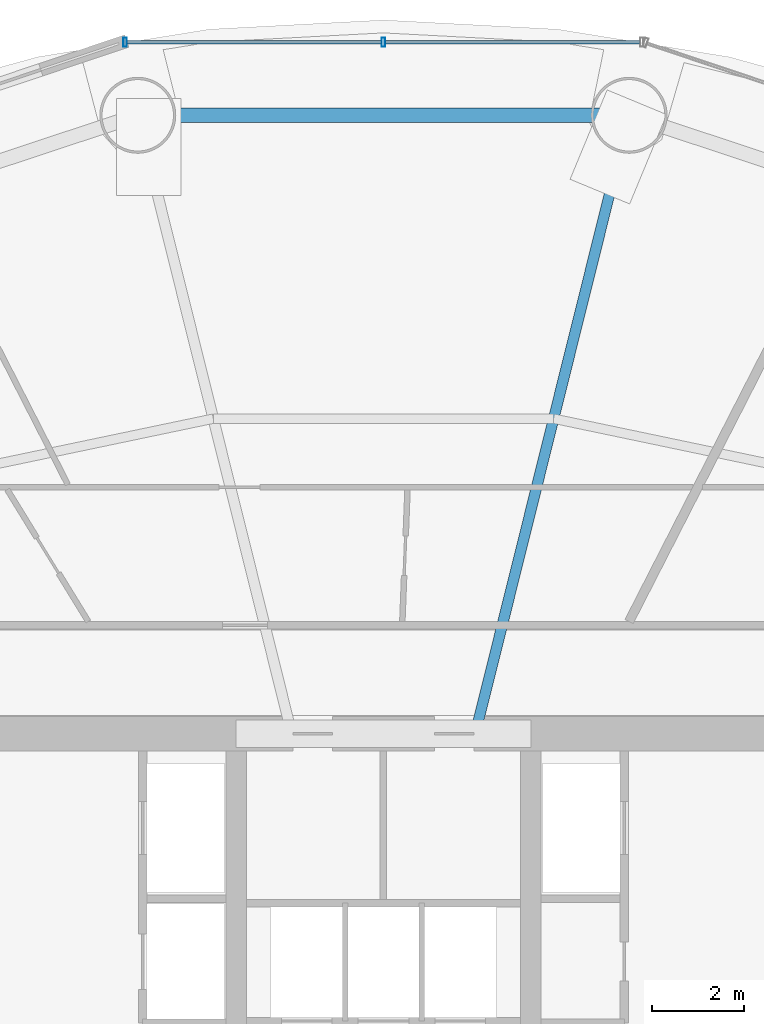
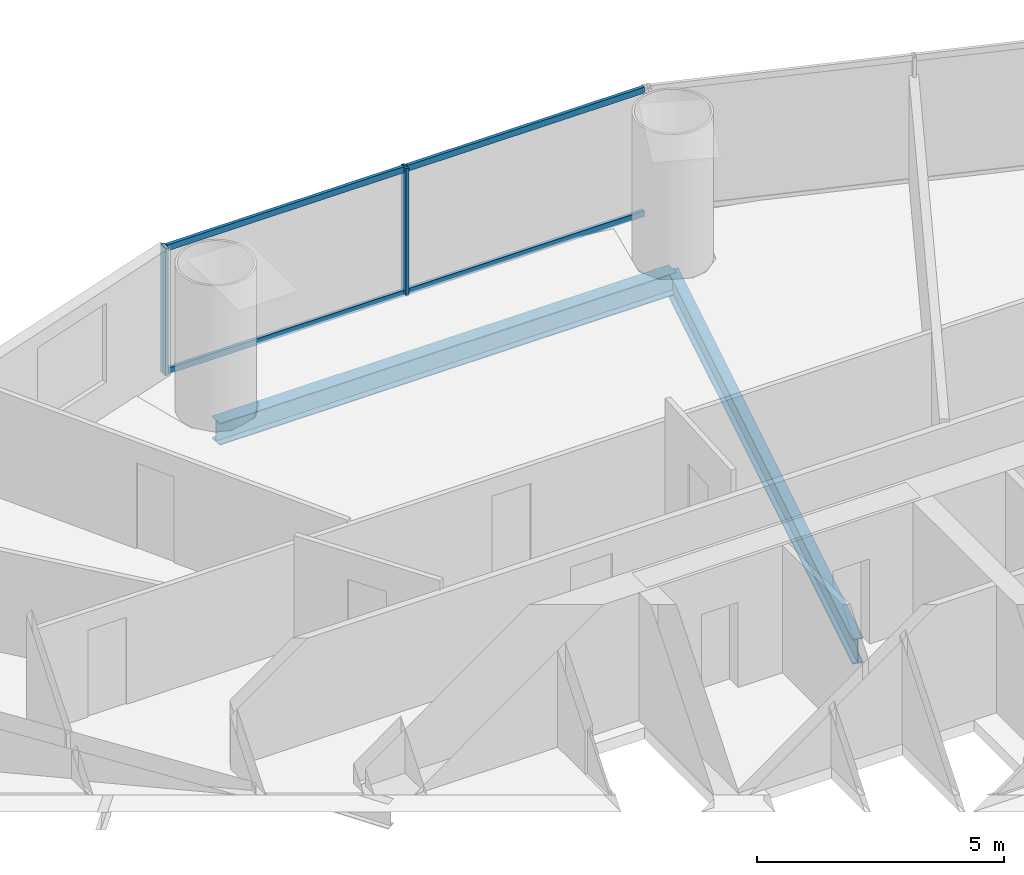
# One storey, part 18 of 29: 6 members, 2 beams, 1 element without a shape of its own.
"""IFC4 building model written with IfcOpenShell, lengths in metres."""

from ifc_helpers import new_model, si_unit, direction, frame, origin, origin_2d, place, context, subcontext, project, spatial, hollow_rectangle, i_section, extrude, source, transform, mapped, material, material_profile, profile_set, type_object, element, aggregate, save


model = new_model("IFC4")

# Units and contexts
model_context = context("Model", 3, precision=1e-05, world=origin(), true_north=direction((-0.2419218956, 0.970295726276)))
body_context = subcontext(model_context, "Body", "Model", "MODEL_VIEW")
ifc_project = project(units=[si_unit("LENGTHUNIT", "METRE"), si_unit("AREAUNIT", "SQUARE_METRE"), si_unit("VOLUMEUNIT", "CUBIC_METRE"), si_unit("PLANEANGLEUNIT", "RADIAN"), si_unit("MASSUNIT", "GRAM", prefix="KILO")], contexts=[model_context])

# Site, building, storey
site_placement = place(None, origin())
site = spatial("IfcSite", under=ifc_project, at=site_placement, CompositionType="ELEMENT")
building_placement = place(site_placement, origin())
building = spatial("IfcBuilding", under=site, at=building_placement, Name="Cobrevalo Terracotta Tower", CompositionType="ELEMENT")
storey_placement = place(building_placement, frame((0.0, 0.0, 70.800048828125)))
storey = spatial("IfcBuildingStorey", under=building, at=storey_placement, Name="L18", CompositionType="ELEMENT", Elevation=70.800048828125)

# Beams
ifc_material_1 = material(Name="Steel S355", Category="steel")
ifc_material_profile_1 = material_profile(ifc_material_1, i_section(OverallWidth=0.22998046875, OverallDepth=0.616943359375, WebThickness=0.01318359375, FlangeThickness=0.022216796875, at=origin_2d()), Name="W 610x140")
ifc_profile_set_1 = profile_set([ifc_material_profile_1], Name="Steel S355")
beam_type_1 = type_object("IfcBeamType", Name="Structural Beam W 610x140 (Steel S355)", PredefinedType="BEAM", material=ifc_profile_set_1)
beam_1_placement = place(storey_placement, frame((43.335693359375, 48.230224609375, -0.588623046875), z_axis=(-0.241596254786, -0.970376859614, 0.0), x_axis=(0.970376859614, -0.241596254786, 0.0)))
element("IfcBeam", 1, at=beam_1_placement, inside=storey, type_object=beam_type_1, Name="L18 radial floor girder 04", PredefinedType="BEAM", context=body_context, shape_type="SweptSolid", body=[
    extrude(i_section(OverallWidth=0.22998046875, OverallDepth=0.616943359375, WebThickness=0.01318359375, FlangeThickness=0.022216796875, at=origin_2d()), origin(), (0.0, 0.0, 1.0), 13.577392578125),
])
ifc_material_profile_2 = material_profile(ifc_material_1, i_section(OverallWidth=0.31201171875, OverallDepth=0.54296875, WebThickness=0.0126953125, FlangeThickness=0.020263671875, at=origin_2d()), Name="W 530x150")
ifc_profile_set_2 = profile_set([ifc_material_profile_2], Name="Steel S355")
beam_type_2 = type_object("IfcBeamType", Name="Structural Spandrel W 530x150 (Steel S355)", PredefinedType="SPANDREL", material=ifc_profile_set_2)
beam_2_placement = place(storey_placement, frame((43.335693359375, 48.230224609375, -0.551513671875), z_axis=(-1.0, 0.0, 0.0), x_axis=(0.0, -1.0, 0.0)))
element("IfcBeam", 2, at=beam_2_placement, inside=storey, type_object=beam_type_2, Name="L18 perimeter ring spandrel 04", PredefinedType="SPANDREL", context=body_context, shape_type="SweptSolid", body=[
    extrude(i_section(OverallWidth=0.31201171875, OverallDepth=0.54296875, WebThickness=0.0126953125, FlangeThickness=0.020263671875, at=origin_2d()), origin(), (0.0, 0.0, 1.0), 10.67138671875),
])

# Curtain wall, members
ifc_material_2 = material(Name="Anodized aluminium", Category="aluminium")
curtain_wall_type = type_object("IfcCurtainWallType", Name="Lower-tower unitised acoustic low-E curtain wall CW-U1", PredefinedType="NOTDEFINED", material=ifc_material_2)
curtain_wall_placement = place(storey_placement, origin())
curtain_wall = element("IfcCurtainWall", 3, at=curtain_wall_placement, inside=storey, type_object=curtain_wall_type, Name="L18 curtain wall CW-L18-S04", PredefinedType="NOTDEFINED")
ifc_material_profile_3 = material_profile(ifc_material_2, hollow_rectangle(XDim=0.074951171875, YDim=0.14990234375, WallThickness=0.00439453125, at=origin_2d()), Name="CWT 75x150")
ifc_profile_set_3 = profile_set([ifc_material_profile_3], Name="Anodized aluminium")
member_type_1 = type_object("IfcMemberType", Name="Tower unitised aluminium transom 75x150", PredefinedType="USERDEFINED", material=ifc_profile_set_3)
shared_shape_1 = source(origin(), body_context, "Body", "SweptSolid", [
    extrude(hollow_rectangle(XDim=0.074951171875, YDim=0.14990234375, WallThickness=0.00439453125, at=origin_2d()), origin(), (0.0, 0.0, 1.0), 5.53173828125),
])
member_1_placement = place(storey_placement, frame((43.57177734375, 49.819091796875, 0.050048828125), z_axis=(-1.0, 0.0, 0.0), x_axis=(0.0, -1.0, 0.0)))
member_1 = element("IfcMember", 4, at=member_1_placement, type_object=member_type_1, Name="CW-L18-S04 transom B01-T1", ObjectType="TRANSOM", PredefinedType="USERDEFINED", context=body_context, shape_type="MappedRepresentation", body=[
    mapped(shared_shape_1, transform((0.0, 0.0, 0.0), scale=1.0)),
])
member_2_placement = place(storey_placement, frame((43.57177734375, 49.819091796875, 3.099853515625), z_axis=(-1.0, 0.0, 0.0), x_axis=(0.0, -1.0, 0.0)))
member_2 = element("IfcMember", 5, at=member_2_placement, type_object=member_type_1, Name="CW-L18-S04 transom B01-T2", ObjectType="TRANSOM", PredefinedType="USERDEFINED", context=body_context, shape_type="MappedRepresentation", body=[
    mapped(shared_shape_1, transform((0.0, 0.0, 0.0), scale=1.0)),
])
member_3_placement = place(storey_placement, frame((37.9599609375, 49.819091796875, 0.050048828125), z_axis=(-1.0, 0.0, 0.0), x_axis=(0.0, -1.0, 0.0)))
member_3 = element("IfcMember", 6, at=member_3_placement, type_object=member_type_1, Name="CW-L18-S04 transom B02-T1", ObjectType="TRANSOM", PredefinedType="USERDEFINED", context=body_context, shape_type="MappedRepresentation", body=[
    mapped(shared_shape_1, transform((0.0, 0.0, 0.0), scale=1.0)),
])
member_4_placement = place(storey_placement, frame((37.9599609375, 49.819091796875, 3.099853515625), z_axis=(-1.0, 0.0, 0.0), x_axis=(0.0, -1.0, 0.0)))
member_4 = element("IfcMember", 7, at=member_4_placement, type_object=member_type_1, Name="CW-L18-S04 transom B02-T2", ObjectType="TRANSOM", PredefinedType="USERDEFINED", context=body_context, shape_type="MappedRepresentation", body=[
    mapped(shared_shape_1, transform((0.0, 0.0, 0.0), scale=1.0)),
])
ifc_material_profile_4 = material_profile(ifc_material_2, hollow_rectangle(XDim=0.074951171875, YDim=0.199951171875, WallThickness=0.0048828125, at=origin_2d()), Name="CWM 75x200")
ifc_profile_set_4 = profile_set([ifc_material_profile_4], Name="Anodized aluminium")
member_type_2 = type_object("IfcMemberType", Name="Lower/mid tower unitised mullion 75x200", PredefinedType="MULLION", material=ifc_profile_set_4)
shared_shape_2 = source(origin(), body_context, "Body", "SweptSolid", [
    extrude(hollow_rectangle(XDim=0.074951171875, YDim=0.199951171875, WallThickness=0.0048828125, at=origin_2d()), origin(), (0.0, 0.0, 1.0), 3.14990234375),
])
member_5_placement = place(storey_placement, frame((38.0, 49.819091796875, 0.0), z_axis=(0.0, 0.0, 1.0), x_axis=(-1.0, 0.0, 0.0)))
member_5 = element("IfcMember", 8, at=member_5_placement, type_object=member_type_2, Name="CW-L18-S04 vertical mullion 02", PredefinedType="MULLION", context=body_context, shape_type="MappedRepresentation", body=[
    mapped(shared_shape_2, transform((0.0, 0.0, 0.0), scale=1.0)),
])
member_6_placement = place(storey_placement, frame((32.38818359375, 49.819091796875, 0.0), z_axis=(0.0, 0.0, 1.0), x_axis=(-1.0, 0.0, 0.0)))
member_6 = element("IfcMember", 9, at=member_6_placement, type_object=member_type_2, Name="CW-L18-S04 vertical mullion 03", PredefinedType="MULLION", context=body_context, shape_type="MappedRepresentation", body=[
    mapped(shared_shape_2, transform((0.0, 0.0, 0.0), scale=1.0)),
])
aggregate(curtain_wall, [member_5, member_6, member_1, member_2, member_3, member_4])

save(model, "model.ifc")
